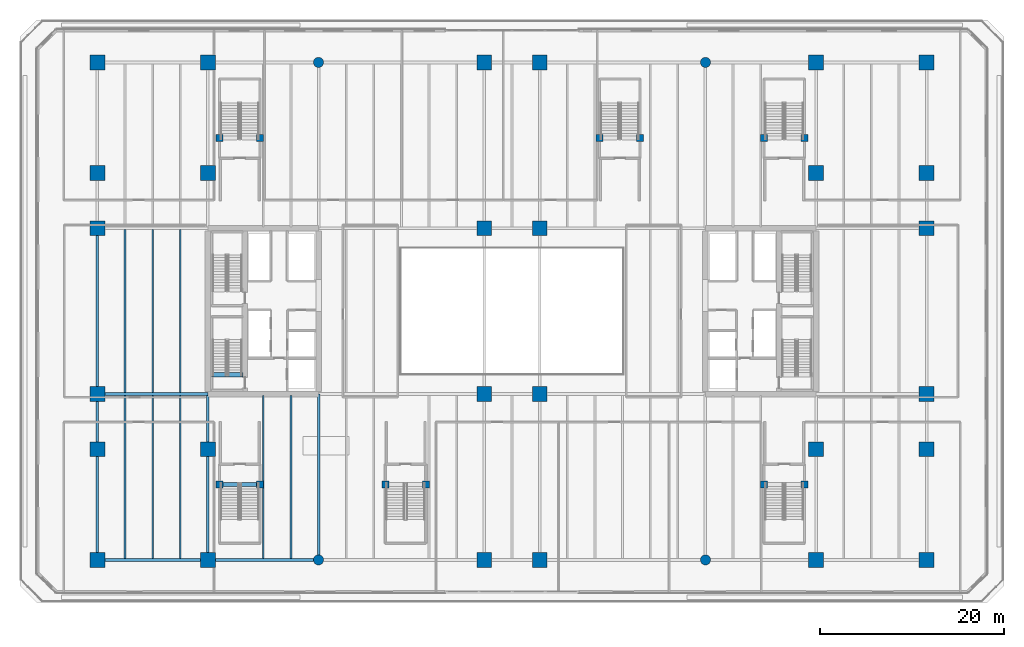
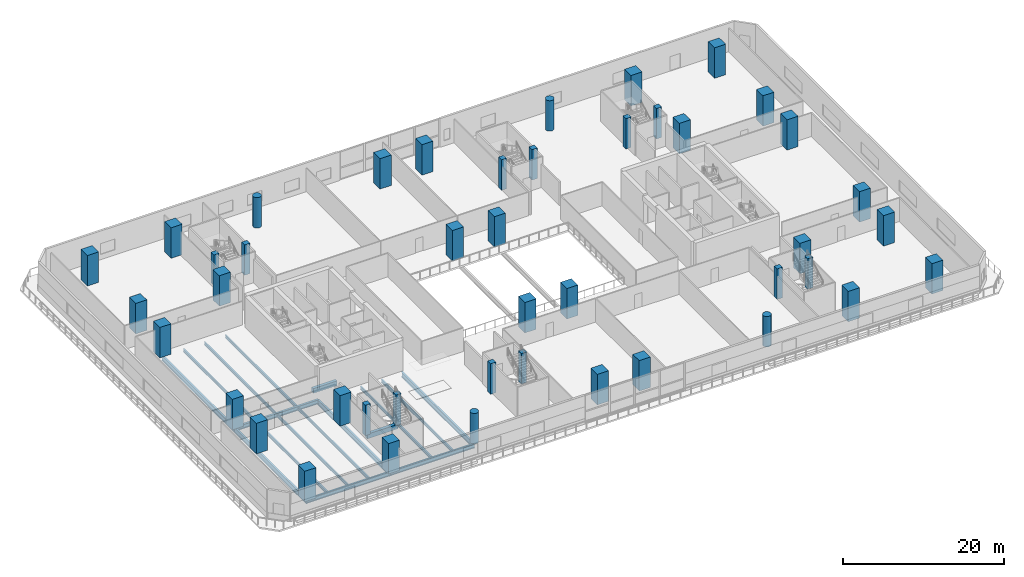
# One storey, part 1 of 27: 44 columns, 17 beams.
"""IFC4 building model written with IfcOpenShell, lengths in metres."""

import ifcopenshell
import ifcopenshell.guid

model = None  # the IFC model being written
_history = None  # IfcOwnerHistory: only IFC2X3 demands one
_inside = {}  # id of a spatial element -> (the spatial element, [elements in it])
_under = {}  # id of a project, library or spatial element -> (it, [spatial elements below it])
_declared = {}  # id of a project -> (the project, [libraries it declares])
_typed = {}  # id of a type object -> (the type object, [elements of that type])
_made_of = {}  # id of a material, layer set ... -> (it, [elements and type objects made of it])


def new_model(schema):
    """Start an empty IFC model of exactly this schema.

    Asked for "IFC4X3", IfcOpenShell would pick the latest addendum, in which some entities
    have other attributes; the version numbers below select the first issue.
    IFC2X3 requires an IfcOwnerHistory on every rooted entity: one is made here for all.
    """
    global model, _history
    if schema == "IFC4X3":
        model = ifcopenshell.file(schema_version=(4, 3, 0, 0))
    else:
        model = ifcopenshell.file(schema=schema)
    _inside.clear()
    _under.clear()
    _declared.clear()
    _typed.clear()
    _made_of.clear()
    _history = None
    if model.schema == "IFC2X3":
        org = make("IfcOrganization", Name="unknown")
        user = make(
            "IfcPersonAndOrganization",
            ThePerson=make("IfcPerson", FamilyName="unknown"),
            TheOrganization=org,
        )
        app = make(
            "IfcApplication",
            ApplicationDeveloper=org,
            Version="unknown",
            ApplicationFullName="unknown",
            ApplicationIdentifier="unknown",
        )
        _history = make(
            "IfcOwnerHistory",
            OwningUser=user,
            OwningApplication=app,
            ChangeAction="ADDED",
            CreationDate=0,
        )
    return model


def make(cls, **values):
    """One entity of the class cls with the attributes given. An attribute that is None is left unset."""
    return model.create_entity(
        cls, **{name: value for name, value in values.items() if value is not None}
    )


def rooted(cls, **values):
    """An entity with a GlobalId (a new one), such as an element, a storey or a relation."""
    return make(cls, GlobalId=ifcopenshell.guid.new(), OwnerHistory=_history, **values)


def si_unit(unit_type, name, prefix=None):
    """IfcSIUnit, for example si_unit("LENGTHUNIT", "METRE", prefix="MILLI")."""
    return make("IfcSIUnit", UnitType=unit_type, Prefix=prefix, Name=name)


def assignment(units):
    """IfcUnitAssignment: the units of a project."""
    return None if units is None else make("IfcUnitAssignment", Units=units)


def point(xyz):
    """IfcCartesianPoint."""
    return None if xyz is None else make("IfcCartesianPoint", Coordinates=xyz)


def direction(xyz):
    """IfcDirection."""
    return None if xyz is None else make("IfcDirection", DirectionRatios=xyz)


def frame(location, z_axis=None, x_axis=None):
    """IfcAxis2Placement3D, a coordinate frame: its origin and axes. An axis left out is left unset."""
    return make(
        "IfcAxis2Placement3D",
        Location=point(location),
        Axis=direction(z_axis),
        RefDirection=direction(x_axis),
    )


def frame_2d(location, x_axis=None):
    """IfcAxis2Placement2D, a coordinate frame in the plane: its origin and x axis."""
    return make(
        "IfcAxis2Placement2D", Location=point(location), RefDirection=direction(x_axis)
    )


def origin():
    """The frame at (0, 0, 0) with its axes left unset."""
    return frame((0.0, 0.0, 0.0))


def origin_2d():
    """The frame at (0, 0) in the plane with its x axis left unset."""
    return frame_2d((0.0, 0.0))


def place(relative_to, where):
    """IfcLocalPlacement: puts the frame where relative to a parent placement (None: the world)."""
    return make(
        "IfcLocalPlacement", PlacementRelTo=relative_to, RelativePlacement=where
    )


def context(
    kind, dimensions, precision=None, world=None, true_north=None, identifier=None
):
    """IfcGeometricRepresentationContext, for example the 3D "Model" context."""
    return make(
        "IfcGeometricRepresentationContext",
        ContextIdentifier=identifier,
        ContextType=kind,
        CoordinateSpaceDimension=dimensions,
        Precision=precision,
        WorldCoordinateSystem=world,
        TrueNorth=true_north,
    )


def subcontext(parent, identifier, kind, view, scale=None):
    """IfcGeometricRepresentationSubContext, for example "Body" below "Model"."""
    return make(
        "IfcGeometricRepresentationSubContext",
        ContextIdentifier=identifier,
        ContextType=kind,
        ParentContext=parent,
        TargetScale=scale,
        TargetView=view,
    )


def project(units=None, contexts=None):
    """IfcProject with its units and contexts."""
    return rooted(
        "IfcProject",
        Name="project",
        RepresentationContexts=contexts,
        UnitsInContext=assignment(units),
    )


def spatial(cls, under=None, at=None, **own):
    """A site, building, storey or space (cls), placed at a placement, below another one or the project."""
    s = rooted(cls, ObjectPlacement=at, **own)
    if under is not None:
        _under.setdefault(under.id(), (under, []))[1].append(s)
    return s


def profile(cls, at=None, kind="AREA", **sizes):
    """A parametric profile (cls). Its sizes go by their IFC names, for example OverallWidth=200.0."""
    return make(cls, ProfileType=kind, Position=at, **sizes)


def rectangle(**sizes):
    """IfcRectangleProfileDef."""
    return profile("IfcRectangleProfileDef", **sizes)


def circle(**sizes):
    """IfcCircleProfileDef."""
    return profile("IfcCircleProfileDef", **sizes)


def i_section(**sizes):
    """IfcIShapeProfileDef."""
    return profile("IfcIShapeProfileDef", **sizes)


def extrude(swept, where, along, depth):
    """IfcExtrudedAreaSolid: the profile swept, set in the frame where, extruded along a direction by depth."""
    return make(
        "IfcExtrudedAreaSolid",
        SweptArea=swept,
        Position=where,
        ExtrudedDirection=direction(along),
        Depth=depth,
    )


def shape(context_of_items, identifier, shape_type, items):
    """IfcShapeRepresentation: the items that make up one representation, for example the "Body"."""
    return make(
        "IfcShapeRepresentation",
        ContextOfItems=context_of_items,
        RepresentationIdentifier=identifier,
        RepresentationType=shape_type,
        Items=items,
    )


def material(Name=None, Category=None):
    """IfcMaterial."""
    return make("IfcMaterial", Name=Name, Category=Category)


def material_profile(
    of_material, cross_section, Name=None, Category=None, Priority=None
):
    """IfcMaterialProfile: a cross section and its material."""
    return make(
        "IfcMaterialProfile",
        Name=Name,
        Material=of_material,
        Profile=cross_section,
        Priority=Priority,
        Category=Category,
    )


def profile_set(profiles, Name=None, composite=None):
    """IfcMaterialProfileSet."""
    return make(
        "IfcMaterialProfileSet",
        Name=Name,
        MaterialProfiles=profiles,
        CompositeProfile=composite,
    )


def made_of(thing, what):
    """Note that an element or type object is made of a material, layer set ...; save() writes the relation."""
    if what is not None:
        _made_of.setdefault(what.id(), (what, []))[1].append(thing)
    return thing


def type_object(cls, material=None, **own):
    """A type object (cls), such as IfcWallType, which elements share."""
    return made_of(rooted(cls, **own), material)


def element(
    cls,
    number,
    at=None,
    inside=None,
    cuts=None,
    type_object=None,
    material=None,
    context=None,
    identifier="Body",
    shape_type=None,
    held_by="IfcProductDefinitionShape",
    body=None,
    shapes=None,
    **own,
):
    """One element of the class cls, such as IfcWall. Its Tag is "e" and its number.

    at: its placement. inside: the storey or other place that contains it. cuts: it is an
    opening in that element (IfcRelVoidsElement). A single representation is given by context,
    identifier, shape_type and body (its items); several are given by shapes. held_by: the class
    of the entity that holds the representations. save() writes the other relations.
    """
    e = rooted(cls, Tag="e%d" % number, ObjectPlacement=at, **own)
    if body is not None:
        shapes = [shape(context, identifier, shape_type, body)]
    if shapes is not None:
        e.Representation = make(held_by, Representations=shapes)
    if inside is not None:
        _inside.setdefault(inside.id(), (inside, []))[1].append(e)
    if cuts is not None:
        rooted(
            "IfcRelVoidsElement", RelatingBuildingElement=cuts, RelatedOpeningElement=e
        )
    if type_object is not None:
        _typed.setdefault(type_object.id(), (type_object, []))[1].append(e)
    return made_of(e, material)


def aggregate(whole, parts):
    """IfcRelAggregates: a whole, such as a stair, and the parts it consists of."""
    return rooted("IfcRelAggregates", RelatingObject=whole, RelatedObjects=parts)


def save(model, path):
    """Write the relations noted so far, then the file.

    IfcRelAggregates (storeys below a building ...), IfcRelContainedInSpatialStructure (elements
    in a storey), IfcRelDefinesByType, IfcRelAssociatesMaterial and IfcRelDeclares: one each for
    every whole, place, type object, material and project.
    """
    for whole, parts in _under.values():
        aggregate(whole, parts)
    for where, things in _inside.values():
        rooted(
            "IfcRelContainedInSpatialStructure",
            RelatedElements=things,
            RelatingStructure=where,
        )
    for kind, things in _typed.values():
        rooted("IfcRelDefinesByType", RelatedObjects=things, RelatingType=kind)
    for what, things in _made_of.values():
        rooted("IfcRelAssociatesMaterial", RelatedObjects=things, RelatingMaterial=what)
    for by, libraries in _declared.values():
        rooted("IfcRelDeclares", RelatingContext=by, RelatedDefinitions=libraries)
    model.write(path)


model = new_model("IFC4")

# Units and contexts
model_context = context("Model", 3, precision=1e-05, world=origin(), true_north=direction((0.0, 1.0)))
body_context = subcontext(model_context, "Body", "Model", "MODEL_VIEW")
ifc_project = project(units=[si_unit("LENGTHUNIT", "METRE"), si_unit("AREAUNIT", "SQUARE_METRE"), si_unit("VOLUMEUNIT", "CUBIC_METRE"), si_unit("PLANEANGLEUNIT", "RADIAN"), si_unit("MASSUNIT", "GRAM", prefix="KILO")], contexts=[model_context])

# Site, building, storey
site_placement = place(None, origin())
site = spatial("IfcSite", under=ifc_project, at=site_placement, CompositionType="ELEMENT")
building_placement = place(site_placement, origin())
building = spatial("IfcBuilding", under=site, at=building_placement, Name="Tanjung Sevakor Pilgrim Tower", CompositionType="ELEMENT")
storey_placement = place(building_placement, frame((0.0, 0.0, 14.85009765625)))
storey = spatial("IfcBuildingStorey", under=building, at=storey_placement, Name="L04", CompositionType="ELEMENT", Elevation=14.85009765625)

# Columns
ifc_material_1 = material(Name="Concrete C60/75", Category="concrete")
ifc_material_profile_1 = material_profile(ifc_material_1, circle(Radius=0.550048828125, at=origin_2d()))
ifc_profile_set_1 = profile_set([ifc_material_profile_1], Name="Concrete C60/75")
column_type_1 = type_object("IfcColumnType", Name="COL-C-D1100-RC-COL_D1100", PredefinedType="COLUMN", material=ifc_profile_set_1)
for number, where, z_axis, x_axis, name in (
    (1, (36.0, 6.60009765625, 0.0), (0.0, 0.0, 1.0), (1.0, 0.0, 0.0), "L04 Column MC-036-066"),
    (2, (36.0, 60.60009765625, 0.0), (0.0, 0.0, 1.0), (1.0, 0.0, 0.0), "L04 Column MC-036-606"),
    (3, (78.0, 6.60009765625, 0.0), (0.0, 0.0, 1.0), (1.0, 0.0, 0.0), "L04 Column MC-078-066"),
    (4, (78.0, 60.60009765625, 0.0), (0.0, 0.0, 1.0), (1.0, 0.0, 0.0), "L04 Column MC-078-606"),
):
    element("IfcColumn", number, at=place(storey_placement, frame(where, z_axis=z_axis, x_axis=x_axis)), inside=storey, type_object=column_type_1, Name=name, PredefinedType="COLUMN", context=body_context, shape_type="SweptSolid", body=[
        extrude(circle(Radius=0.550048828125, at=origin_2d()), origin(), (0.0, 0.0, 1.0), 4.619873046875),
    ])
ifc_material_2 = material(Name="Concrete C60/75", Category="concrete")
ifc_material_profile_2 = material_profile(ifc_material_2, rectangle(XDim=1.60009765625, YDim=1.60009765625, at=origin_2d()))
ifc_profile_set_2 = profile_set([ifc_material_profile_2], Name="Concrete C60/75")
column_type_2 = type_object("IfcColumnType", Name="COL-C-M1600-RC_1600x1600", PredefinedType="COLUMN", material=ifc_profile_set_2)
for number, where, z_axis, x_axis, name in (
    (5, (12.0, 6.60009765625, 0.0), (0.0, 0.0, 1.0), (1.0, 0.0, 0.0), "L04 Column MC-012-066"),
    (6, (12.0, 24.60009765625, 0.0), (0.0, 0.0, 1.0), (1.0, 0.0, 0.0), "L04 Column MC-012-246"),
    (7, (12.0, 42.60009765625, 0.0), (0.0, 0.0, 1.0), (1.0, 0.0, 0.0), "L04 Column MC-012-426"),
    (8, (12.0, 60.60009765625, 0.0), (0.0, 0.0, 1.0), (1.0, 0.0, 0.0), "L04 Column MC-012-606"),
    (9, (24.0, 6.60009765625, 0.0), (0.0, 0.0, 1.0), (1.0, 0.0, 0.0), "L04 Column MC-024-066"),
    (10, (24.0, 60.60009765625, 0.0), (0.0, 0.0, 1.0), (1.0, 0.0, 0.0), "L04 Column MC-024-606"),
    (11, (54.0, 6.60009765625, 0.0), (0.0, 0.0, 1.0), (1.0, 0.0, 0.0), "L04 Column MC-054-066"),
    (12, (54.0, 24.60009765625, 0.0), (0.0, 0.0, 1.0), (1.0, 0.0, 0.0), "L04 Column MC-054-246"),
    (13, (54.0, 42.60009765625, 0.0), (0.0, 0.0, 1.0), (1.0, 0.0, 0.0), "L04 Column MC-054-426"),
    (14, (54.0, 60.60009765625, 0.0), (0.0, 0.0, 1.0), (1.0, 0.0, 0.0), "L04 Column MC-054-606"),
    (15, (60.0, 6.60009765625, 0.0), (0.0, 0.0, 1.0), (1.0, 0.0, 0.0), "L04 Column MC-060-066"),
    (16, (60.0, 24.60009765625, 0.0), (0.0, 0.0, 1.0), (1.0, 0.0, 0.0), "L04 Column MC-060-246"),
    (17, (60.0, 42.60009765625, 0.0), (0.0, 0.0, 1.0), (1.0, 0.0, 0.0), "L04 Column MC-060-426"),
    (18, (60.0, 60.60009765625, 0.0), (0.0, 0.0, 1.0), (1.0, 0.0, 0.0), "L04 Column MC-060-606"),
    (19, (90.0, 6.60009765625, 0.0), (0.0, 0.0, 1.0), (1.0, 0.0, 0.0), "L04 Column MC-090-066"),
    (20, (90.0, 60.60009765625, 0.0), (0.0, 0.0, 1.0), (1.0, 0.0, 0.0), "L04 Column MC-090-606"),
    (21, (102.0, 6.60009765625, 0.0), (0.0, 0.0, 1.0), (1.0, 0.0, 0.0), "L04 Column MC-102-066"),
    (22, (102.0, 24.60009765625, 0.0), (0.0, 0.0, 1.0), (1.0, 0.0, 0.0), "L04 Column MC-102-246"),
    (23, (102.0, 42.60009765625, 0.0), (0.0, 0.0, 1.0), (1.0, 0.0, 0.0), "L04 Column MC-102-426"),
    (24, (102.0, 60.60009765625, 0.0), (0.0, 0.0, 1.0), (1.0, 0.0, 0.0), "L04 Column MC-102-606"),
    (25, (12.0, 18.60009765625, 0.0), (0.0, 0.0, 1.0), (1.0, 0.0, 0.0), "L04 Column MCE-012-186"),
    (26, (12.0, 48.60009765625, 0.0), (0.0, 0.0, 1.0), (1.0, 0.0, 0.0), "L04 Column MCE-012-486"),
    (27, (24.0, 18.60009765625, 0.0), (0.0, 0.0, 1.0), (1.0, 0.0, 0.0), "L04 Column MCE-024-186"),
    (28, (24.0, 48.60009765625, 0.0), (0.0, 0.0, 1.0), (1.0, 0.0, 0.0), "L04 Column MCE-024-486"),
    (29, (90.0, 18.60009765625, 0.0), (0.0, 0.0, 1.0), (1.0, 0.0, 0.0), "L04 Column MCE-090-186"),
    (30, (90.0, 48.60009765625, 0.0), (0.0, 0.0, 1.0), (1.0, 0.0, 0.0), "L04 Column MCE-090-486"),
    (31, (102.0, 18.60009765625, 0.0), (0.0, 0.0, 1.0), (1.0, 0.0, 0.0), "L04 Column MCE-102-186"),
    (32, (102.0, 48.60009765625, 0.0), (0.0, 0.0, 1.0), (1.0, 0.0, 0.0), "L04 Column MCE-102-486"),
):
    element("IfcColumn", number, at=place(storey_placement, frame(where, z_axis=z_axis, x_axis=x_axis)), inside=storey, type_object=column_type_2, Name=name, PredefinedType="COLUMN", context=body_context, shape_type="SweptSolid", body=[
        extrude(rectangle(XDim=1.60009765625, YDim=1.60009765625, at=origin_2d()), origin(), (0.0, 0.0, 1.0), 4.619873046875),
    ])
ifc_material_3 = material(Name="Concrete C60/75", Category="concrete")
ifc_material_profile_3 = material_profile(ifc_material_3, rectangle(XDim=0.75, YDim=0.75, at=origin_2d()))
ifc_profile_set_3 = profile_set([ifc_material_profile_3], Name="Concrete C60/75")
column_type_3 = type_object("IfcColumnType", Name="COL-C-T750-RC_750x750", PredefinedType="COLUMN", material=ifc_profile_set_3)
for number, where, z_axis, x_axis, name in (
    (33, (25.25, 14.800048828125, 0.0), (0.0, 0.0, 1.0), (1.0, 0.0, 0.0), "L04 Stair Frame Column PS1P1"),
    (34, (29.64990234375, 14.800048828125, 0.0), (0.0, 0.0, 1.0), (1.0, 0.0, 0.0), "L04 Stair Frame Column PS1P2"),
    (35, (25.25, 52.39990234375, 0.0), (0.0, 0.0, 1.0), (1.0, 0.0, 0.0), "L04 Stair Frame Column PS2P1"),
    (36, (29.64990234375, 52.39990234375, 0.0), (0.0, 0.0, 1.0), (1.0, 0.0, 0.0), "L04 Stair Frame Column PS2P2"),
    (37, (43.25, 14.800048828125, 0.0), (0.0, 0.0, 1.0), (1.0, 0.0, 0.0), "L04 Stair Frame Column PS3P1"),
    (38, (47.64990234375, 14.800048828125, 0.0), (0.0, 0.0, 1.0), (1.0, 0.0, 0.0), "L04 Stair Frame Column PS3P2"),
    (39, (66.5, 52.39990234375, 0.0), (0.0, 0.0, 1.0), (1.0, 0.0, 0.0), "L04 Stair Frame Column PS4P1"),
    (40, (70.89990234375, 52.39990234375, 0.0), (0.0, 0.0, 1.0), (1.0, 0.0, 0.0), "L04 Stair Frame Column PS4P2"),
    (41, (84.35009765625, 14.800048828125, 0.0), (0.0, 0.0, 1.0), (1.0, 0.0, 0.0), "L04 Stair Frame Column PS5P1"),
    (42, (88.75, 14.800048828125, 0.0), (0.0, 0.0, 1.0), (1.0, 0.0, 0.0), "L04 Stair Frame Column PS5P2"),
    (43, (84.35009765625, 52.39990234375, 0.0), (0.0, 0.0, 1.0), (1.0, 0.0, 0.0), "L04 Stair Frame Column PS6P1"),
    (44, (88.75, 52.39990234375, 0.0), (0.0, 0.0, 1.0), (1.0, 0.0, 0.0), "L04 Stair Frame Column PS6P2"),
):
    element("IfcColumn", number, at=place(storey_placement, frame(where, z_axis=z_axis, x_axis=x_axis)), inside=storey, type_object=column_type_3, Name=name, PredefinedType="COLUMN", context=body_context, shape_type="SweptSolid", body=[
        extrude(rectangle(XDim=0.75, YDim=0.75, at=origin_2d()), origin(), (0.0, 0.0, 1.0), 4.619873046875),
    ])

# Beams
ifc_material_4 = material(Name="Steel S355J2", Category="steel")
ifc_material_profile_4 = material_profile(ifc_material_4, i_section(OverallWidth=0.26806640625, OverallDepth=0.769775390625, WebThickness=0.015625, FlangeThickness=0.025390625, FilletRadius=0.0166015625, at=origin_2d()))
ifc_profile_set_4 = profile_set([ifc_material_profile_4], Name="Steel S355J2")
beam_type_1 = type_object("IfcBeamType", Name="BM-B-G1-UB_762x267x197", PredefinedType="BEAM", material=ifc_profile_set_4)
for number, where, z_axis, x_axis, name in (
    (45, (12.0, 6.60009765625, -0.6650390625), (0.0, 1.0, 0.0), (-1.0, 0.0, 0.0), "L04 Podium Girder NS X12-1"),
    (46, (12.0, 24.60009765625, -0.6650390625), (0.0, 1.0, 0.0), (-1.0, 0.0, 0.0), "L04 Podium Girder NS X12-2"),
    (47, (24.0, 6.60009765625, -0.6650390625), (0.0, 1.0, 0.0), (-1.0, 0.0, 0.0), "L04 Podium Girder NS X24-1"),
    (48, (36.0, 6.60009765625, -0.6650390625), (0.0, 1.0, 0.0), (-1.0, 0.0, 0.0), "L04 Podium Girder NS X36-1"),
):
    element("IfcBeam", number, at=place(storey_placement, frame(where, z_axis=z_axis, x_axis=x_axis)), inside=storey, type_object=beam_type_1, Name=name, PredefinedType="BEAM", context=body_context, shape_type="SweptSolid", body=[
        extrude(i_section(OverallWidth=0.26806640625, OverallDepth=0.769775390625, WebThickness=0.015625, FlangeThickness=0.025390625, FilletRadius=0.0166015625, at=origin_2d()), origin(), (0.0, 0.0, 1.0), 18.0),
    ])
ifc_material_5 = material(Name="Steel S355J2", Category="steel")
ifc_material_profile_5 = material_profile(ifc_material_5, i_section(OverallWidth=0.19140625, OverallDepth=0.4599609375, WebThickness=0.010009765625, FlangeThickness=0.01611328125, FilletRadius=0.01025390625, at=origin_2d()))
ifc_profile_set_5 = profile_set([ifc_material_profile_5], Name="Steel S355J2")
beam_type_2 = type_object("IfcBeamType", Name="BM-B-J2-UB_457x191x82", PredefinedType="JOIST", material=ifc_profile_set_5)
for number, where, z_axis, x_axis, name in (
    (49, (15.0, 6.75341796875, -0.510009765625), (0.0, 1.0, 0.0), (-1.0, 0.0, 0.0), "L04 Secondary Joist 001"),
    (50, (15.0, 24.75341796875, -0.510009765625), (0.0, 1.0, 0.0), (-1.0, 0.0, 0.0), "L04 Secondary Joist 002"),
    (51, (18.0, 6.75341796875, -0.510009765625), (0.0, 1.0, 0.0), (-1.0, 0.0, 0.0), "L04 Secondary Joist 004"),
    (52, (18.0, 24.75341796875, -0.510009765625), (0.0, 1.0, 0.0), (-1.0, 0.0, 0.0), "L04 Secondary Joist 005"),
    (53, (21.0, 6.75341796875, -0.510009765625), (0.0, 1.0, 0.0), (-1.0, 0.0, 0.0), "L04 Secondary Joist 007"),
    (54, (21.0, 24.75341796875, -0.510009765625), (0.0, 1.0, 0.0), (-1.0, 0.0, 0.0), "L04 Secondary Joist 008"),
    (55, (30.0, 6.75341796875, -0.510009765625), (0.0, 1.0, 0.0), (-1.0, 0.0, 0.0), "L04 Secondary Joist 010"),
    (56, (33.0, 6.75341796875, -0.510009765625), (0.0, 1.0, 0.0), (-1.0, 0.0, 0.0), "L04 Secondary Joist 012"),
):
    element("IfcBeam", number, at=place(storey_placement, frame(where, z_axis=z_axis, x_axis=x_axis)), inside=storey, type_object=beam_type_2, Name=name, PredefinedType="JOIST", context=body_context, shape_type="SweptSolid", body=[
        extrude(i_section(OverallWidth=0.19140625, OverallDepth=0.4599609375, WebThickness=0.010009765625, FlangeThickness=0.01611328125, FilletRadius=0.01025390625, at=origin_2d()), origin(), (0.0, 0.0, 1.0), 17.693115234375),
    ])
ifc_material_6 = material(Name="Concrete C60/75", Category="concrete")
ifc_material_profile_6 = material_profile(ifc_material_6, rectangle(XDim=0.449951171875, YDim=0.699951171875, at=origin_2d()))
ifc_profile_set_6 = profile_set([ifc_material_profile_6], Name="Concrete C60/75")
beam_type_3 = type_object("IfcBeamType", Name="BM-B-LN3-RC-BM_450x700", PredefinedType="LINTEL", material=ifc_profile_set_6)
beam_1_placement = place(storey_placement, frame((24.39990234375, 26.699951171875, -0.35009765625), z_axis=(1.0, 0.0, 0.0), x_axis=(0.0, 1.0, 0.0)))
element("IfcBeam", 57, at=beam_1_placement, inside=storey, type_object=beam_type_3, Name="L04 TS-W1 Stair Threshold Beam", PredefinedType="LINTEL", context=body_context, shape_type="SweptSolid", body=[
    extrude(rectangle(XDim=0.449951171875, YDim=0.699951171875, at=origin_2d()), origin(), (0.0, 0.0, 1.0), 3.400146484375),
])
beam_2_placement = place(storey_placement, frame((25.25, 14.800048828125, -0.35009765625), z_axis=(1.0, 0.0, 0.0), x_axis=(0.0, 1.0, 0.0)))
element("IfcBeam", 58, at=beam_2_placement, inside=storey, type_object=beam_type_3, Name="L04 PS-1 Stair Threshold Beam", PredefinedType="LINTEL", context=body_context, shape_type="SweptSolid", body=[
    extrude(rectangle(XDim=0.449951171875, YDim=0.699951171875, at=origin_2d()), origin(), (0.0, 0.0, 1.0), 4.39990234375),
])
ifc_material_7 = material(Name="Steel S355J2", Category="steel")
ifc_material_profile_7 = material_profile(ifc_material_7, i_section(OverallWidth=0.30712890625, OverallDepth=0.6201171875, WebThickness=0.01416015625, FlangeThickness=0.023681640625, FilletRadius=0.0166015625, at=origin_2d()))
ifc_profile_set_7 = profile_set([ifc_material_profile_7], Name="Steel S355J2")
beam_type_4 = type_object("IfcBeamType", Name="BM-B-POD5-UB_610x305x179", PredefinedType="BEAM", material=ifc_profile_set_7)
for number, where, z_axis, x_axis, name in (
    (59, (12.0, 6.60009765625, -0.590087890625), (1.0, 0.0, 0.0), (0.0, 1.0, 0.0), "L04 Podium Girder EW Y6.6-1"),
    (60, (24.0, 6.60009765625, -0.590087890625), (1.0, 0.0, 0.0), (0.0, 1.0, 0.0), "L04 Podium Girder EW Y6.6-2"),
    (61, (12.0, 24.60009765625, -0.590087890625), (1.0, 0.0, 0.0), (0.0, 1.0, 0.0), "L04 Podium Girder EW Y24.6-1"),
):
    element("IfcBeam", number, at=place(storey_placement, frame(where, z_axis=z_axis, x_axis=x_axis)), inside=storey, type_object=beam_type_4, Name=name, PredefinedType="BEAM", context=body_context, shape_type="SweptSolid", body=[
        extrude(i_section(OverallWidth=0.30712890625, OverallDepth=0.6201171875, WebThickness=0.01416015625, FlangeThickness=0.023681640625, FilletRadius=0.0166015625, at=origin_2d()), origin(), (0.0, 0.0, 1.0), 12.0),
    ])

save(model, "model.ifc")
